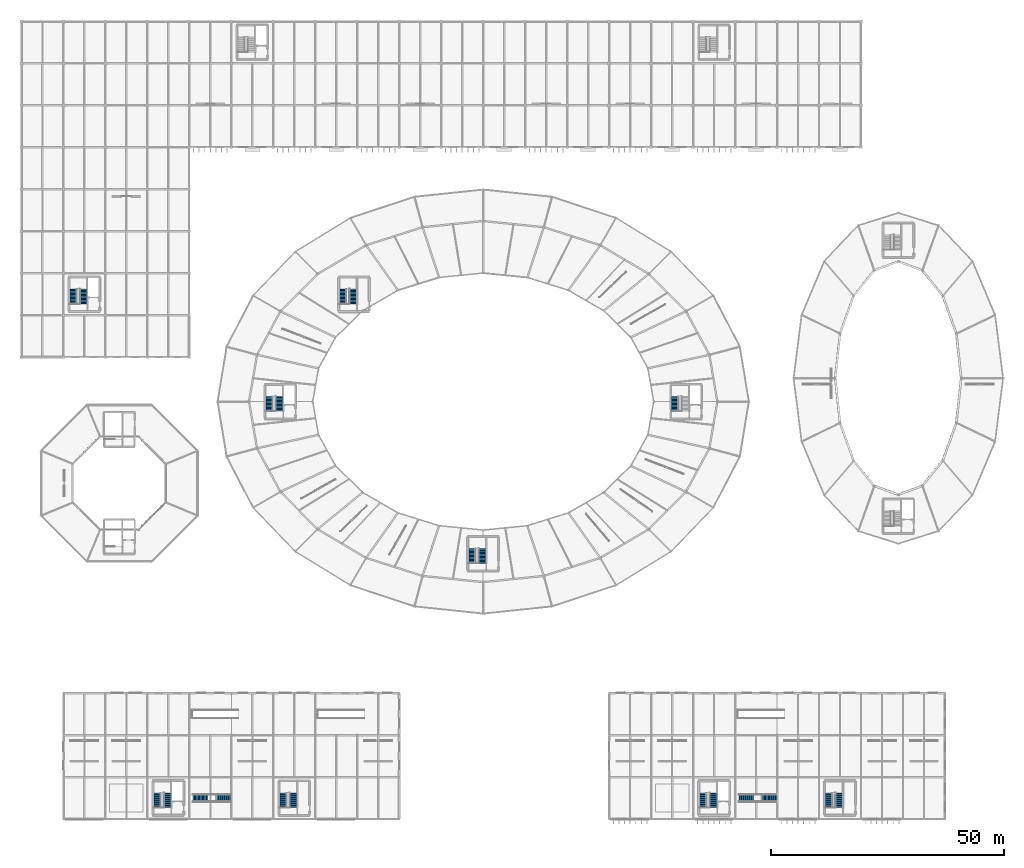
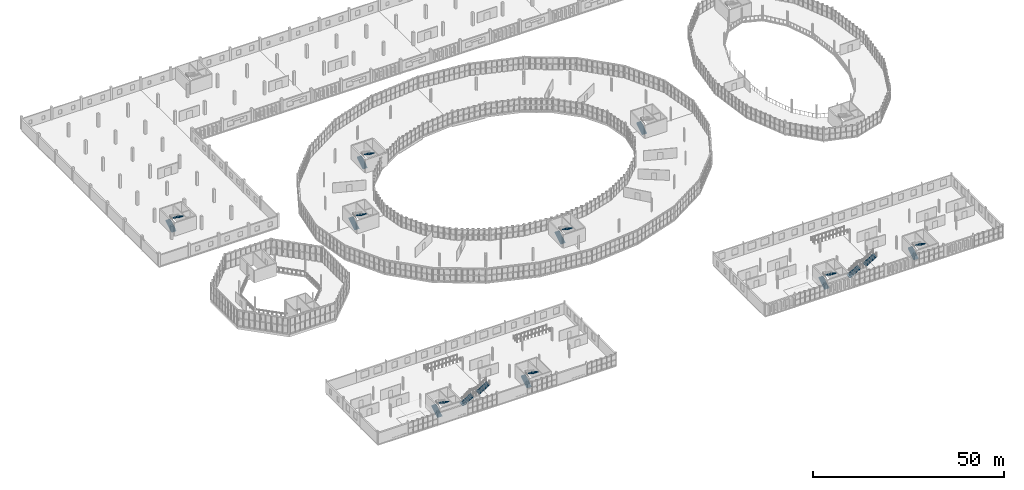
# One storey, part 149 of 161: 21 stair flights, 11 elements without a shape of their own.
"""IFC4 building model written with IfcOpenShell, lengths in metres."""

from ifc_helpers import new_model, si_unit, direction, frame, origin, place, context, subcontext, project, spatial, polyline, outline, extrude, material, type_object, element, aggregate, save


model = new_model("IFC4")

# Units and contexts
model_context = context("Model", 3, precision=1e-05, world=origin(), true_north=direction((0.0, 1.0)))
body_context = subcontext(model_context, "Body", "Model", "MODEL_VIEW")
ifc_project = project(units=[si_unit("LENGTHUNIT", "METRE"), si_unit("AREAUNIT", "SQUARE_METRE"), si_unit("VOLUMEUNIT", "CUBIC_METRE"), si_unit("PLANEANGLEUNIT", "RADIAN"), si_unit("MASSUNIT", "GRAM", prefix="KILO")], contexts=[model_context])

# Site, building, storey
site_placement = place(None, origin())
site = spatial("IfcSite", under=ifc_project, at=site_placement, CompositionType="ELEMENT")
building_placement = place(site_placement, origin())
building = spatial("IfcBuilding", under=site, at=building_placement, Name="Kildeholm Park Wholesale Market", CompositionType="ELEMENT")
storey_placement = place(building_placement, frame((0.0, 0.0, 5.39990234375)))
storey = spatial("IfcBuildingStorey", under=building, at=storey_placement, Name="L01", CompositionType="ELEMENT", Elevation=5.39990234375)

# Stair, stair flights
ifc_material_1 = material(Name="Steel S355", Category="steel")
stair_type_1 = type_object("IfcStairType", Name="Buyers concourse feature straight stair ST-FT1", PredefinedType="STRAIGHT_RUN_STAIR", material=ifc_material_1)
stair_1_placement = place(storey_placement, origin())
stair_1 = element("IfcStair", 1, at=stair_1_placement, inside=storey, type_object=stair_type_1, Name="Buyers concourse feature stair ST-FT04 STR-0037", PredefinedType="STRAIGHT_RUN_STAIR")
stair_flight_type_1 = type_object("IfcStairFlightType", Name="Steel feature stair flight SF-02", PredefinedType="STRAIGHT", material=ifc_material_1)
stair_flight_1_placement = place(storey_placement, frame((36.800048828125, 4.5, 0.0), z_axis=(0.0, 0.0, 1.0), x_axis=(1.0, 0.0, 0.0)))
stair_flight_1 = element("IfcStairFlight", 2, at=stair_flight_1_placement, type_object=stair_flight_type_1, Name="ST-FT04 flight 1 FLT-0073", NumberOfRisers=12, NumberOfTreads=11, PredefinedType="STRAIGHT", RiserHeight=0.175, TreadLength=0.285, context=body_context, shape_type="SweptSolid", body=[
    extrude(outline(polyline([(0.0, 0.0), (0.0, 0.175048828125), (0.284912109375, 0.175048828125), (0.284912109375, 0.35009765625), (0.570068359375, 0.35009765625), (0.570068359375, 0.52490234375), (0.85498046875, 0.52490234375), (0.85498046875, 0.699951171875), (1.139892578125, 0.699951171875), (1.139892578125, 0.875), (1.425048828125, 0.875), (1.425048828125, 1.050048828125), (1.7099609375, 1.050048828125), (1.7099609375, 1.22509765625), (1.9951171875, 1.22509765625), (1.9951171875, 1.39990234375), (2.280029296875, 1.39990234375), (2.280029296875, 1.574951171875), (2.56494140625, 1.574951171875), (2.56494140625, 1.75), (2.85009765625, 1.75), (2.85009765625, 1.925048828125), (3.135009765625, 1.925048828125), (3.135009765625, 2.10009765625), (3.18505859375, 2.10009765625), (3.18505859375, 1.93017578125), (3.135009765625, 1.7255859375), (0.32470703125, 0.0), (0.0, 0.0)])), frame((0.0, 0.824951171875, 0.0), z_axis=(0.0, -1.0, 0.0), x_axis=(1.0, 0.0, 0.0)), (0.0, 0.0, 1.0), 1.64990234375),
])
stair_flight_2_placement = place(storey_placement, frame((41.68505859375, 4.5, 2.10009765625), z_axis=(0.0, 0.0, 1.0), x_axis=(1.0, 0.0, 0.0)))
stair_flight_2 = element("IfcStairFlight", 3, at=stair_flight_2_placement, type_object=stair_flight_type_1, Name="ST-FT04 flight 2 FLT-0074", NumberOfRisers=12, NumberOfTreads=11, PredefinedType="STRAIGHT", RiserHeight=0.175, TreadLength=0.285, context=body_context, shape_type="SweptSolid", body=[
    extrude(outline(polyline([(0.0, 0.0), (0.0, 0.175048828125), (0.284912109375, 0.175048828125), (0.284912109375, 0.35009765625), (0.570068359375, 0.35009765625), (0.570068359375, 0.52490234375), (0.85498046875, 0.52490234375), (0.85498046875, 0.699951171875), (1.139892578125, 0.699951171875), (1.139892578125, 0.875), (1.425048828125, 0.875), (1.425048828125, 1.050048828125), (1.7099609375, 1.050048828125), (1.7099609375, 1.22509765625), (1.9951171875, 1.22509765625), (1.9951171875, 1.39990234375), (2.280029296875, 1.39990234375), (2.280029296875, 1.574951171875), (2.56494140625, 1.574951171875), (2.56494140625, 1.75), (2.85009765625, 1.75), (2.85009765625, 1.925048828125), (3.135009765625, 1.925048828125), (3.135009765625, 2.10009765625), (3.18505859375, 2.10009765625), (3.18505859375, 1.93017578125), (3.135009765625, 1.7255859375), (0.32470703125, 0.0), (0.0, 0.0)])), frame((0.0, 0.824951171875, 0.0), z_axis=(0.0, -1.0, 0.0), x_axis=(1.0, 0.0, 0.0)), (0.0, 0.0, 1.0), 1.64990234375),
])
aggregate(stair_1, [stair_flight_1, stair_flight_2])

stair_2_placement = place(storey_placement, origin())
stair_2 = element("IfcStair", 4, at=stair_2_placement, inside=storey, type_object=stair_type_1, Name="Buyers concourse feature stair ST-FT05 STR-0038", PredefinedType="STRAIGHT_RUN_STAIR")
stair_flight_3_placement = place(storey_placement, frame((153.800048828125, 4.5, 0.0), z_axis=(0.0, 0.0, 1.0), x_axis=(1.0, 0.0, 0.0)))
stair_flight_3 = element("IfcStairFlight", 5, at=stair_flight_3_placement, type_object=stair_flight_type_1, Name="ST-FT05 flight 1 FLT-0075", NumberOfRisers=12, NumberOfTreads=11, PredefinedType="STRAIGHT", RiserHeight=0.175, TreadLength=0.285, context=body_context, shape_type="SweptSolid", body=[
    extrude(outline(polyline([(0.0, 0.0), (0.0, 0.175048828125), (0.284912109375, 0.175048828125), (0.284912109375, 0.35009765625), (0.570068359375, 0.35009765625), (0.570068359375, 0.52490234375), (0.85498046875, 0.52490234375), (0.85498046875, 0.699951171875), (1.139892578125, 0.699951171875), (1.139892578125, 0.875), (1.425048828125, 0.875), (1.425048828125, 1.050048828125), (1.7099609375, 1.050048828125), (1.7099609375, 1.22509765625), (1.9951171875, 1.22509765625), (1.9951171875, 1.39990234375), (2.280029296875, 1.39990234375), (2.280029296875, 1.574951171875), (2.56494140625, 1.574951171875), (2.56494140625, 1.75), (2.85009765625, 1.75), (2.85009765625, 1.925048828125), (3.135009765625, 1.925048828125), (3.135009765625, 2.10009765625), (3.18505859375, 2.10009765625), (3.18505859375, 1.93017578125), (3.135009765625, 1.7255859375), (0.32470703125, 0.0), (0.0, 0.0)])), frame((0.0, 0.824951171875, 0.0), z_axis=(0.0, -1.0, 0.0), x_axis=(1.0, 0.0, 0.0)), (0.0, 0.0, 1.0), 1.64990234375),
])
stair_flight_4_placement = place(storey_placement, frame((158.68505859375, 4.5, 2.10009765625), z_axis=(0.0, 0.0, 1.0), x_axis=(1.0, 0.0, 0.0)))
stair_flight_4 = element("IfcStairFlight", 6, at=stair_flight_4_placement, type_object=stair_flight_type_1, Name="ST-FT05 flight 2 FLT-0076", NumberOfRisers=12, NumberOfTreads=11, PredefinedType="STRAIGHT", RiserHeight=0.175, TreadLength=0.285, context=body_context, shape_type="SweptSolid", body=[
    extrude(outline(polyline([(0.0, 0.0), (0.0, 0.175048828125), (0.284912109375, 0.175048828125), (0.284912109375, 0.35009765625), (0.570068359375, 0.35009765625), (0.570068359375, 0.52490234375), (0.85498046875, 0.52490234375), (0.85498046875, 0.699951171875), (1.139892578125, 0.699951171875), (1.139892578125, 0.875), (1.425048828125, 0.875), (1.425048828125, 1.050048828125), (1.7099609375, 1.050048828125), (1.7099609375, 1.22509765625), (1.9951171875, 1.22509765625), (1.9951171875, 1.39990234375), (2.280029296875, 1.39990234375), (2.280029296875, 1.574951171875), (2.56494140625, 1.574951171875), (2.56494140625, 1.75), (2.85009765625, 1.75), (2.85009765625, 1.925048828125), (3.135009765625, 1.925048828125), (3.135009765625, 2.10009765625), (3.18505859375, 2.10009765625), (3.18505859375, 1.93017578125), (3.135009765625, 1.7255859375), (0.32470703125, 0.0), (0.0, 0.0)])), frame((0.0, 0.824951171875, 0.0), z_axis=(0.0, -1.0, 0.0), x_axis=(1.0, 0.0, 0.0)), (0.0, 0.0, 1.0), 1.64990234375),
])
aggregate(stair_2, [stair_flight_3, stair_flight_4])

ifc_material_2 = material(Name="Concrete C35/45", Category="concrete")
stair_type_2 = type_object("IfcStairType", Name="Protected upper core escape stair ST-CR2", PredefinedType="HALF_TURN_STAIR", material=ifc_material_2)
stair_3_placement = place(storey_placement, origin())
stair_3 = element("IfcStair", 7, at=stair_3_placement, inside=storey, type_object=stair_type_2, Name="Escape stair C01 L01 STR-0002", PredefinedType="HALF_TURN_STAIR")
stair_flight_type_2 = type_object("IfcStairFlightType", Name="Upper reinforced-concrete stair flight SF-03", PredefinedType="STRAIGHT", material=ifc_material_2)
stair_flight_5_placement = place(storey_placement, frame((11.139892578125, 110.419921875, 0.0), z_axis=(0.0, 0.0, 1.0), x_axis=(0.0, 1.0, 0.0)))
stair_flight_5 = element("IfcStairFlight", 8, at=stair_flight_5_placement, type_object=stair_flight_type_2, Name="ST-01-01 flight 1 FLT-0003", NumberOfRisers=12, NumberOfTreads=11, PredefinedType="STRAIGHT", RiserHeight=0.175, TreadLength=0.285, context=body_context, shape_type="SweptSolid", body=[
    extrude(outline(polyline([(0.0, 0.0), (0.0, 0.175048828125), (0.284912109375, 0.175048828125), (0.284912109375, 0.35009765625), (0.570068359375, 0.35009765625), (0.570068359375, 0.52490234375), (0.85498046875, 0.52490234375), (0.85498046875, 0.699951171875), (1.139892578125, 0.699951171875), (1.139892578125, 0.875), (1.425048828125, 0.875), (1.425048828125, 1.050048828125), (1.7099609375, 1.050048828125), (1.7099609375, 1.22509765625), (1.9951171875, 1.22509765625), (1.9951171875, 1.39990234375), (2.280029296875, 1.39990234375), (2.280029296875, 1.574951171875), (2.56494140625, 1.574951171875), (2.56494140625, 1.75), (2.85009765625, 1.75), (2.85009765625, 1.925048828125), (3.135009765625, 1.925048828125), (3.135009765625, 2.10009765625), (3.18505859375, 2.10009765625), (3.18505859375, 1.9501953125), (3.135009765625, 1.7490234375), (0.286376953125, 0.0), (0.0, 0.0)])), frame((0.0, 0.719970703125, 0.0), z_axis=(0.0, -1.0, 0.0), x_axis=(1.0, 0.0, 0.0)), (0.0, 0.0, 1.0), 1.43994140625),
])
stair_flight_6_placement = place(storey_placement, frame((13.27001953125, 113.614990234375, 2.10009765625), z_axis=(0.0, 0.0, 1.0), x_axis=(0.0, -1.0, 0.0)))
stair_flight_6 = element("IfcStairFlight", 9, at=stair_flight_6_placement, type_object=stair_flight_type_2, Name="ST-01-01 flight 2 FLT-0004", NumberOfRisers=12, NumberOfTreads=11, PredefinedType="STRAIGHT", RiserHeight=0.175, TreadLength=0.285, context=body_context, shape_type="SweptSolid", body=[
    extrude(outline(polyline([(0.0, 0.0), (0.0, 0.175048828125), (0.284912109375, 0.175048828125), (0.284912109375, 0.35009765625), (0.570068359375, 0.35009765625), (0.570068359375, 0.52490234375), (0.85498046875, 0.52490234375), (0.85498046875, 0.699951171875), (1.139892578125, 0.699951171875), (1.139892578125, 0.875), (1.425048828125, 0.875), (1.425048828125, 1.050048828125), (1.7099609375, 1.050048828125), (1.7099609375, 1.22509765625), (1.9951171875, 1.22509765625), (1.9951171875, 1.39990234375), (2.280029296875, 1.39990234375), (2.280029296875, 1.574951171875), (2.56494140625, 1.574951171875), (2.56494140625, 1.75), (2.85009765625, 1.75), (2.85009765625, 1.925048828125), (3.135009765625, 1.925048828125), (3.135009765625, 2.10009765625), (3.18505859375, 2.10009765625), (3.18505859375, 1.9501953125), (3.135009765625, 1.7490234375), (0.286376953125, 0.0), (0.0, 0.0)])), frame((0.0, 0.719970703125, 0.0), z_axis=(0.0, -1.0, 0.0), x_axis=(1.0, 0.0, 0.0)), (0.0, 0.0, 1.0), 1.43994140625),
])
aggregate(stair_3, [stair_flight_5, stair_flight_6])

stair_4_placement = place(storey_placement, origin())
stair_4 = element("IfcStair", 10, at=stair_4_placement, inside=storey, type_object=stair_type_2, Name="Escape stair C04 L01 STR-0009", PredefinedType="HALF_TURN_STAIR")
stair_flight_7_placement = place(storey_placement, frame((29.139892578125, 2.419921875, 0.0), z_axis=(0.0, 0.0, 1.0), x_axis=(0.0, 1.0, 0.0)))
stair_flight_7 = element("IfcStairFlight", 11, at=stair_flight_7_placement, type_object=stair_flight_type_2, Name="ST-04-01 flight 1 FLT-0017", NumberOfRisers=12, NumberOfTreads=11, PredefinedType="STRAIGHT", RiserHeight=0.175, TreadLength=0.285, context=body_context, shape_type="SweptSolid", body=[
    extrude(outline(polyline([(0.0, 0.0), (0.0, 0.175048828125), (0.284912109375, 0.175048828125), (0.284912109375, 0.35009765625), (0.570068359375, 0.35009765625), (0.570068359375, 0.52490234375), (0.85498046875, 0.52490234375), (0.85498046875, 0.699951171875), (1.139892578125, 0.699951171875), (1.139892578125, 0.875), (1.425048828125, 0.875), (1.425048828125, 1.050048828125), (1.7099609375, 1.050048828125), (1.7099609375, 1.22509765625), (1.9951171875, 1.22509765625), (1.9951171875, 1.39990234375), (2.280029296875, 1.39990234375), (2.280029296875, 1.574951171875), (2.56494140625, 1.574951171875), (2.56494140625, 1.75), (2.85009765625, 1.75), (2.85009765625, 1.925048828125), (3.135009765625, 1.925048828125), (3.135009765625, 2.10009765625), (3.18505859375, 2.10009765625), (3.18505859375, 1.9501953125), (3.135009765625, 1.7490234375), (0.286376953125, 0.0), (0.0, 0.0)])), frame((0.0, 0.719970703125, 0.0), z_axis=(0.0, -1.0, 0.0), x_axis=(1.0, 0.0, 0.0)), (0.0, 0.0, 1.0), 1.43994140625),
])
stair_flight_8_placement = place(storey_placement, frame((31.27001953125, 5.614990234375, 2.10009765625), z_axis=(0.0, 0.0, 1.0), x_axis=(0.0, -1.0, 0.0)))
stair_flight_8 = element("IfcStairFlight", 12, at=stair_flight_8_placement, type_object=stair_flight_type_2, Name="ST-04-01 flight 2 FLT-0018", NumberOfRisers=12, NumberOfTreads=11, PredefinedType="STRAIGHT", RiserHeight=0.175, TreadLength=0.285, context=body_context, shape_type="SweptSolid", body=[
    extrude(outline(polyline([(0.0, 0.0), (0.0, 0.175048828125), (0.284912109375, 0.175048828125), (0.284912109375, 0.35009765625), (0.570068359375, 0.35009765625), (0.570068359375, 0.52490234375), (0.85498046875, 0.52490234375), (0.85498046875, 0.699951171875), (1.139892578125, 0.699951171875), (1.139892578125, 0.875), (1.425048828125, 0.875), (1.425048828125, 1.050048828125), (1.7099609375, 1.050048828125), (1.7099609375, 1.22509765625), (1.9951171875, 1.22509765625), (1.9951171875, 1.39990234375), (2.280029296875, 1.39990234375), (2.280029296875, 1.574951171875), (2.56494140625, 1.574951171875), (2.56494140625, 1.75), (2.85009765625, 1.75), (2.85009765625, 1.925048828125), (3.135009765625, 1.925048828125), (3.135009765625, 2.10009765625), (3.18505859375, 2.10009765625), (3.18505859375, 1.9501953125), (3.135009765625, 1.7490234375), (0.286376953125, 0.0), (0.0, 0.0)])), frame((0.0, 0.719970703125, 0.0), z_axis=(0.0, -1.0, 0.0), x_axis=(1.0, 0.0, 0.0)), (0.0, 0.0, 1.0), 1.43994140625),
])
aggregate(stair_4, [stair_flight_7, stair_flight_8])

stair_5_placement = place(storey_placement, origin())
stair_5 = element("IfcStair", 13, at=stair_5_placement, inside=storey, type_object=stair_type_2, Name="Escape stair C05 L01 STR-0012", PredefinedType="HALF_TURN_STAIR")
stair_flight_9_placement = place(storey_placement, frame((56.139892578125, 2.419921875, 0.0), z_axis=(0.0, 0.0, 1.0), x_axis=(0.0, 1.0, 0.0)))
stair_flight_9 = element("IfcStairFlight", 14, at=stair_flight_9_placement, type_object=stair_flight_type_2, Name="ST-05-01 flight 1 FLT-0023", NumberOfRisers=12, NumberOfTreads=11, PredefinedType="STRAIGHT", RiserHeight=0.175, TreadLength=0.285, context=body_context, shape_type="SweptSolid", body=[
    extrude(outline(polyline([(0.0, 0.0), (0.0, 0.175048828125), (0.284912109375, 0.175048828125), (0.284912109375, 0.35009765625), (0.570068359375, 0.35009765625), (0.570068359375, 0.52490234375), (0.85498046875, 0.52490234375), (0.85498046875, 0.699951171875), (1.139892578125, 0.699951171875), (1.139892578125, 0.875), (1.425048828125, 0.875), (1.425048828125, 1.050048828125), (1.7099609375, 1.050048828125), (1.7099609375, 1.22509765625), (1.9951171875, 1.22509765625), (1.9951171875, 1.39990234375), (2.280029296875, 1.39990234375), (2.280029296875, 1.574951171875), (2.56494140625, 1.574951171875), (2.56494140625, 1.75), (2.85009765625, 1.75), (2.85009765625, 1.925048828125), (3.135009765625, 1.925048828125), (3.135009765625, 2.10009765625), (3.18505859375, 2.10009765625), (3.18505859375, 1.9501953125), (3.135009765625, 1.7490234375), (0.286376953125, 0.0), (0.0, 0.0)])), frame((0.0, 0.719970703125, 0.0), z_axis=(0.0, -1.0, 0.0), x_axis=(1.0, 0.0, 0.0)), (0.0, 0.0, 1.0), 1.43994140625),
])
stair_flight_10_placement = place(storey_placement, frame((58.27001953125, 5.614990234375, 2.10009765625), z_axis=(0.0, 0.0, 1.0), x_axis=(0.0, -1.0, 0.0)))
stair_flight_10 = element("IfcStairFlight", 15, at=stair_flight_10_placement, type_object=stair_flight_type_2, Name="ST-05-01 flight 2 FLT-0024", NumberOfRisers=12, NumberOfTreads=11, PredefinedType="STRAIGHT", RiserHeight=0.175, TreadLength=0.285, context=body_context, shape_type="SweptSolid", body=[
    extrude(outline(polyline([(0.0, 0.0), (0.0, 0.175048828125), (0.284912109375, 0.175048828125), (0.284912109375, 0.35009765625), (0.570068359375, 0.35009765625), (0.570068359375, 0.52490234375), (0.85498046875, 0.52490234375), (0.85498046875, 0.699951171875), (1.139892578125, 0.699951171875), (1.139892578125, 0.875), (1.425048828125, 0.875), (1.425048828125, 1.050048828125), (1.7099609375, 1.050048828125), (1.7099609375, 1.22509765625), (1.9951171875, 1.22509765625), (1.9951171875, 1.39990234375), (2.280029296875, 1.39990234375), (2.280029296875, 1.574951171875), (2.56494140625, 1.574951171875), (2.56494140625, 1.75), (2.85009765625, 1.75), (2.85009765625, 1.925048828125), (3.135009765625, 1.925048828125), (3.135009765625, 2.10009765625), (3.18505859375, 2.10009765625), (3.18505859375, 1.9501953125), (3.135009765625, 1.7490234375), (0.286376953125, 0.0), (0.0, 0.0)])), frame((0.0, 0.719970703125, 0.0), z_axis=(0.0, -1.0, 0.0), x_axis=(1.0, 0.0, 0.0)), (0.0, 0.0, 1.0), 1.43994140625),
])
aggregate(stair_5, [stair_flight_9, stair_flight_10])

stair_6_placement = place(storey_placement, origin())
stair_6 = element("IfcStair", 16, at=stair_6_placement, inside=storey, type_object=stair_type_2, Name="Escape stair C06 L01 STR-0015", PredefinedType="HALF_TURN_STAIR")
stair_flight_11_placement = place(storey_placement, frame((146.139892578125, 2.419921875, 0.0), z_axis=(0.0, 0.0, 1.0), x_axis=(0.0, 1.0, 0.0)))
stair_flight_11 = element("IfcStairFlight", 17, at=stair_flight_11_placement, type_object=stair_flight_type_2, Name="ST-06-01 flight 1 FLT-0029", NumberOfRisers=12, NumberOfTreads=11, PredefinedType="STRAIGHT", RiserHeight=0.175, TreadLength=0.285, context=body_context, shape_type="SweptSolid", body=[
    extrude(outline(polyline([(0.0, 0.0), (0.0, 0.175048828125), (0.284912109375, 0.175048828125), (0.284912109375, 0.35009765625), (0.570068359375, 0.35009765625), (0.570068359375, 0.52490234375), (0.85498046875, 0.52490234375), (0.85498046875, 0.699951171875), (1.139892578125, 0.699951171875), (1.139892578125, 0.875), (1.425048828125, 0.875), (1.425048828125, 1.050048828125), (1.7099609375, 1.050048828125), (1.7099609375, 1.22509765625), (1.9951171875, 1.22509765625), (1.9951171875, 1.39990234375), (2.280029296875, 1.39990234375), (2.280029296875, 1.574951171875), (2.56494140625, 1.574951171875), (2.56494140625, 1.75), (2.85009765625, 1.75), (2.85009765625, 1.925048828125), (3.135009765625, 1.925048828125), (3.135009765625, 2.10009765625), (3.18505859375, 2.10009765625), (3.18505859375, 1.9501953125), (3.135009765625, 1.7490234375), (0.286376953125, 0.0), (0.0, 0.0)])), frame((0.0, 0.719970703125, 0.0), z_axis=(0.0, -1.0, 0.0), x_axis=(1.0, 0.0, 0.0)), (0.0, 0.0, 1.0), 1.43994140625),
])
stair_flight_12_placement = place(storey_placement, frame((148.27001953125, 5.614990234375, 2.10009765625), z_axis=(0.0, 0.0, 1.0), x_axis=(0.0, -1.0, 0.0)))
stair_flight_12 = element("IfcStairFlight", 18, at=stair_flight_12_placement, type_object=stair_flight_type_2, Name="ST-06-01 flight 2 FLT-0030", NumberOfRisers=12, NumberOfTreads=11, PredefinedType="STRAIGHT", RiserHeight=0.175, TreadLength=0.285, context=body_context, shape_type="SweptSolid", body=[
    extrude(outline(polyline([(0.0, 0.0), (0.0, 0.175048828125), (0.284912109375, 0.175048828125), (0.284912109375, 0.35009765625), (0.570068359375, 0.35009765625), (0.570068359375, 0.52490234375), (0.85498046875, 0.52490234375), (0.85498046875, 0.699951171875), (1.139892578125, 0.699951171875), (1.139892578125, 0.875), (1.425048828125, 0.875), (1.425048828125, 1.050048828125), (1.7099609375, 1.050048828125), (1.7099609375, 1.22509765625), (1.9951171875, 1.22509765625), (1.9951171875, 1.39990234375), (2.280029296875, 1.39990234375), (2.280029296875, 1.574951171875), (2.56494140625, 1.574951171875), (2.56494140625, 1.75), (2.85009765625, 1.75), (2.85009765625, 1.925048828125), (3.135009765625, 1.925048828125), (3.135009765625, 2.10009765625), (3.18505859375, 2.10009765625), (3.18505859375, 1.9501953125), (3.135009765625, 1.7490234375), (0.286376953125, 0.0), (0.0, 0.0)])), frame((0.0, 0.719970703125, 0.0), z_axis=(0.0, -1.0, 0.0), x_axis=(1.0, 0.0, 0.0)), (0.0, 0.0, 1.0), 1.43994140625),
])
aggregate(stair_6, [stair_flight_11, stair_flight_12])

stair_7_placement = place(storey_placement, origin())
stair_7 = element("IfcStair", 19, at=stair_7_placement, inside=storey, type_object=stair_type_2, Name="Escape stair C07 L01 STR-0018", PredefinedType="HALF_TURN_STAIR")
stair_flight_13_placement = place(storey_placement, frame((173.139892578125, 2.419921875, 0.0), z_axis=(0.0, 0.0, 1.0), x_axis=(0.0, 1.0, 0.0)))
stair_flight_13 = element("IfcStairFlight", 20, at=stair_flight_13_placement, type_object=stair_flight_type_2, Name="ST-07-01 flight 1 FLT-0035", NumberOfRisers=12, NumberOfTreads=11, PredefinedType="STRAIGHT", RiserHeight=0.175, TreadLength=0.285, context=body_context, shape_type="SweptSolid", body=[
    extrude(outline(polyline([(0.0, 0.0), (0.0, 0.175048828125), (0.284912109375, 0.175048828125), (0.284912109375, 0.35009765625), (0.570068359375, 0.35009765625), (0.570068359375, 0.52490234375), (0.85498046875, 0.52490234375), (0.85498046875, 0.699951171875), (1.139892578125, 0.699951171875), (1.139892578125, 0.875), (1.425048828125, 0.875), (1.425048828125, 1.050048828125), (1.7099609375, 1.050048828125), (1.7099609375, 1.22509765625), (1.9951171875, 1.22509765625), (1.9951171875, 1.39990234375), (2.280029296875, 1.39990234375), (2.280029296875, 1.574951171875), (2.56494140625, 1.574951171875), (2.56494140625, 1.75), (2.85009765625, 1.75), (2.85009765625, 1.925048828125), (3.135009765625, 1.925048828125), (3.135009765625, 2.10009765625), (3.18505859375, 2.10009765625), (3.18505859375, 1.9501953125), (3.135009765625, 1.7490234375), (0.286376953125, 0.0), (0.0, 0.0)])), frame((0.0, 0.719970703125, 0.0), z_axis=(0.0, -1.0, 0.0), x_axis=(1.0, 0.0, 0.0)), (0.0, 0.0, 1.0), 1.43994140625),
])
stair_flight_14_placement = place(storey_placement, frame((175.27001953125, 5.614990234375, 2.10009765625), z_axis=(0.0, 0.0, 1.0), x_axis=(0.0, -1.0, 0.0)))
stair_flight_14 = element("IfcStairFlight", 21, at=stair_flight_14_placement, type_object=stair_flight_type_2, Name="ST-07-01 flight 2 FLT-0036", NumberOfRisers=12, NumberOfTreads=11, PredefinedType="STRAIGHT", RiserHeight=0.175, TreadLength=0.285, context=body_context, shape_type="SweptSolid", body=[
    extrude(outline(polyline([(0.0, 0.0), (0.0, 0.175048828125), (0.284912109375, 0.175048828125), (0.284912109375, 0.35009765625), (0.570068359375, 0.35009765625), (0.570068359375, 0.52490234375), (0.85498046875, 0.52490234375), (0.85498046875, 0.699951171875), (1.139892578125, 0.699951171875), (1.139892578125, 0.875), (1.425048828125, 0.875), (1.425048828125, 1.050048828125), (1.7099609375, 1.050048828125), (1.7099609375, 1.22509765625), (1.9951171875, 1.22509765625), (1.9951171875, 1.39990234375), (2.280029296875, 1.39990234375), (2.280029296875, 1.574951171875), (2.56494140625, 1.574951171875), (2.56494140625, 1.75), (2.85009765625, 1.75), (2.85009765625, 1.925048828125), (3.135009765625, 1.925048828125), (3.135009765625, 2.10009765625), (3.18505859375, 2.10009765625), (3.18505859375, 1.9501953125), (3.135009765625, 1.7490234375), (0.286376953125, 0.0), (0.0, 0.0)])), frame((0.0, 0.719970703125, 0.0), z_axis=(0.0, -1.0, 0.0), x_axis=(1.0, 0.0, 0.0)), (0.0, 0.0, 1.0), 1.43994140625),
])
aggregate(stair_7, [stair_flight_13, stair_flight_14])

# Stair, stair flight
stair_8_placement = place(storey_placement, origin())
stair_8 = element("IfcStair", 22, at=stair_8_placement, inside=storey, type_object=stair_type_2, Name="Escape stair C08 L01 STR-0021", PredefinedType="HALF_TURN_STAIR")
stair_flight_15_placement = place(storey_placement, frame((140.139892578125, 87.419921875, 0.0), z_axis=(0.0, 0.0, 1.0), x_axis=(0.0, 1.0, 0.0)))
stair_flight_15 = element("IfcStairFlight", 23, at=stair_flight_15_placement, type_object=stair_flight_type_2, Name="ST-08-01 flight 1 FLT-0041", NumberOfRisers=12, NumberOfTreads=11, PredefinedType="STRAIGHT", RiserHeight=0.175, TreadLength=0.285, context=body_context, shape_type="SweptSolid", body=[
    extrude(outline(polyline([(0.0, 0.0), (0.0, 0.175048828125), (0.284912109375, 0.175048828125), (0.284912109375, 0.35009765625), (0.570068359375, 0.35009765625), (0.570068359375, 0.52490234375), (0.85498046875, 0.52490234375), (0.85498046875, 0.699951171875), (1.139892578125, 0.699951171875), (1.139892578125, 0.875), (1.425048828125, 0.875), (1.425048828125, 1.050048828125), (1.7099609375, 1.050048828125), (1.7099609375, 1.22509765625), (1.9951171875, 1.22509765625), (1.9951171875, 1.39990234375), (2.280029296875, 1.39990234375), (2.280029296875, 1.574951171875), (2.56494140625, 1.574951171875), (2.56494140625, 1.75), (2.85009765625, 1.75), (2.85009765625, 1.925048828125), (3.135009765625, 1.925048828125), (3.135009765625, 2.10009765625), (3.18505859375, 2.10009765625), (3.18505859375, 1.9501953125), (3.135009765625, 1.7490234375), (0.286376953125, 0.0), (0.0, 0.0)])), frame((0.0, 0.719970703125, 0.0), z_axis=(0.0, -1.0, 0.0), x_axis=(1.0, 0.0, 0.0)), (0.0, 0.0, 1.0), 1.43994140625),
])
aggregate(stair_8, [stair_flight_15])

# Stair, stair flights
stair_9_placement = place(storey_placement, origin())
stair_9 = element("IfcStair", 24, at=stair_9_placement, inside=storey, type_object=stair_type_2, Name="Escape stair C09 L01 STR-0023", PredefinedType="HALF_TURN_STAIR")
stair_flight_16_placement = place(storey_placement, frame((53.139892578125, 87.419921875, 0.0), z_axis=(0.0, 0.0, 1.0), x_axis=(0.0, 1.0, 0.0)))
stair_flight_16 = element("IfcStairFlight", 25, at=stair_flight_16_placement, type_object=stair_flight_type_2, Name="ST-09-01 flight 1 FLT-0045", NumberOfRisers=12, NumberOfTreads=11, PredefinedType="STRAIGHT", RiserHeight=0.175, TreadLength=0.285, context=body_context, shape_type="SweptSolid", body=[
    extrude(outline(polyline([(0.0, 0.0), (0.0, 0.175048828125), (0.284912109375, 0.175048828125), (0.284912109375, 0.35009765625), (0.570068359375, 0.35009765625), (0.570068359375, 0.52490234375), (0.85498046875, 0.52490234375), (0.85498046875, 0.699951171875), (1.139892578125, 0.699951171875), (1.139892578125, 0.875), (1.425048828125, 0.875), (1.425048828125, 1.050048828125), (1.7099609375, 1.050048828125), (1.7099609375, 1.22509765625), (1.9951171875, 1.22509765625), (1.9951171875, 1.39990234375), (2.280029296875, 1.39990234375), (2.280029296875, 1.574951171875), (2.56494140625, 1.574951171875), (2.56494140625, 1.75), (2.85009765625, 1.75), (2.85009765625, 1.925048828125), (3.135009765625, 1.925048828125), (3.135009765625, 2.10009765625), (3.18505859375, 2.10009765625), (3.18505859375, 1.9501953125), (3.135009765625, 1.7490234375), (0.286376953125, 0.0), (0.0, 0.0)])), frame((0.0, 0.719970703125, 0.0), z_axis=(0.0, -1.0, 0.0), x_axis=(1.0, 0.0, 0.0)), (0.0, 0.0, 1.0), 1.43994140625),
])
stair_flight_17_placement = place(storey_placement, frame((55.27001953125, 90.614990234375, 2.10009765625), z_axis=(0.0, 0.0, 1.0), x_axis=(0.0, -1.0, 0.0)))
stair_flight_17 = element("IfcStairFlight", 26, at=stair_flight_17_placement, type_object=stair_flight_type_2, Name="ST-09-01 flight 2 FLT-0046", NumberOfRisers=12, NumberOfTreads=11, PredefinedType="STRAIGHT", RiserHeight=0.175, TreadLength=0.285, context=body_context, shape_type="SweptSolid", body=[
    extrude(outline(polyline([(0.0, 0.0), (0.0, 0.175048828125), (0.284912109375, 0.175048828125), (0.284912109375, 0.35009765625), (0.570068359375, 0.35009765625), (0.570068359375, 0.52490234375), (0.85498046875, 0.52490234375), (0.85498046875, 0.699951171875), (1.139892578125, 0.699951171875), (1.139892578125, 0.875), (1.425048828125, 0.875), (1.425048828125, 1.050048828125), (1.7099609375, 1.050048828125), (1.7099609375, 1.22509765625), (1.9951171875, 1.22509765625), (1.9951171875, 1.39990234375), (2.280029296875, 1.39990234375), (2.280029296875, 1.574951171875), (2.56494140625, 1.574951171875), (2.56494140625, 1.75), (2.85009765625, 1.75), (2.85009765625, 1.925048828125), (3.135009765625, 1.925048828125), (3.135009765625, 2.10009765625), (3.18505859375, 2.10009765625), (3.18505859375, 1.9501953125), (3.135009765625, 1.7490234375), (0.286376953125, 0.0), (0.0, 0.0)])), frame((0.0, 0.719970703125, 0.0), z_axis=(0.0, -1.0, 0.0), x_axis=(1.0, 0.0, 0.0)), (0.0, 0.0, 1.0), 1.43994140625),
])
aggregate(stair_9, [stair_flight_16, stair_flight_17])

stair_10_placement = place(storey_placement, origin())
stair_10 = element("IfcStair", 27, at=stair_10_placement, inside=storey, type_object=stair_type_2, Name="Escape stair C10 L01 STR-0025", PredefinedType="HALF_TURN_STAIR")
stair_flight_18_placement = place(storey_placement, frame((96.639892578125, 54.820068359375, 0.0), z_axis=(0.0, 0.0, 1.0), x_axis=(0.0, 1.0, 0.0)))
stair_flight_18 = element("IfcStairFlight", 28, at=stair_flight_18_placement, type_object=stair_flight_type_2, Name="ST-10-01 flight 1 FLT-0049", NumberOfRisers=12, NumberOfTreads=11, PredefinedType="STRAIGHT", RiserHeight=0.175, TreadLength=0.285, context=body_context, shape_type="SweptSolid", body=[
    extrude(outline(polyline([(0.0, 0.0), (0.0, 0.175048828125), (0.284912109375, 0.175048828125), (0.284912109375, 0.35009765625), (0.570068359375, 0.35009765625), (0.570068359375, 0.52490234375), (0.85498046875, 0.52490234375), (0.85498046875, 0.699951171875), (1.139892578125, 0.699951171875), (1.139892578125, 0.875), (1.425048828125, 0.875), (1.425048828125, 1.050048828125), (1.7099609375, 1.050048828125), (1.7099609375, 1.22509765625), (1.9951171875, 1.22509765625), (1.9951171875, 1.39990234375), (2.280029296875, 1.39990234375), (2.280029296875, 1.574951171875), (2.56494140625, 1.574951171875), (2.56494140625, 1.75), (2.85009765625, 1.75), (2.85009765625, 1.925048828125), (3.135009765625, 1.925048828125), (3.135009765625, 2.10009765625), (3.18505859375, 2.10009765625), (3.18505859375, 1.9501953125), (3.135009765625, 1.7490234375), (0.286376953125, 0.0), (0.0, 0.0)])), frame((0.0, 0.719970703125, 0.0), z_axis=(0.0, -1.0, 0.0), x_axis=(1.0, 0.0, 0.0)), (0.0, 0.0, 1.0), 1.43994140625),
])
stair_flight_19_placement = place(storey_placement, frame((98.77001953125, 58.014892578125, 2.10009765625), z_axis=(0.0, 0.0, 1.0), x_axis=(0.0, -1.0, 0.0)))
stair_flight_19 = element("IfcStairFlight", 29, at=stair_flight_19_placement, type_object=stair_flight_type_2, Name="ST-10-01 flight 2 FLT-0050", NumberOfRisers=12, NumberOfTreads=11, PredefinedType="STRAIGHT", RiserHeight=0.175, TreadLength=0.285, context=body_context, shape_type="SweptSolid", body=[
    extrude(outline(polyline([(0.0, 0.0), (0.0, 0.175048828125), (0.284912109375, 0.175048828125), (0.284912109375, 0.35009765625), (0.570068359375, 0.35009765625), (0.570068359375, 0.52490234375), (0.85498046875, 0.52490234375), (0.85498046875, 0.699951171875), (1.139892578125, 0.699951171875), (1.139892578125, 0.875), (1.425048828125, 0.875), (1.425048828125, 1.050048828125), (1.7099609375, 1.050048828125), (1.7099609375, 1.22509765625), (1.9951171875, 1.22509765625), (1.9951171875, 1.39990234375), (2.280029296875, 1.39990234375), (2.280029296875, 1.574951171875), (2.56494140625, 1.574951171875), (2.56494140625, 1.75), (2.85009765625, 1.75), (2.85009765625, 1.925048828125), (3.135009765625, 1.925048828125), (3.135009765625, 2.10009765625), (3.18505859375, 2.10009765625), (3.18505859375, 1.9501953125), (3.135009765625, 1.7490234375), (0.286376953125, 0.0), (0.0, 0.0)])), frame((0.0, 0.719970703125, 0.0), z_axis=(0.0, -1.0, 0.0), x_axis=(1.0, 0.0, 0.0)), (0.0, 0.0, 1.0), 1.43994140625),
])
aggregate(stair_10, [stair_flight_18, stair_flight_19])

stair_11_placement = place(storey_placement, origin())
stair_11 = element("IfcStair", 30, at=stair_11_placement, inside=storey, type_object=stair_type_2, Name="Escape stair C11 L01 STR-0027", PredefinedType="HALF_TURN_STAIR")
stair_flight_20_placement = place(storey_placement, frame((68.93994140625, 110.419921875, 0.0), z_axis=(0.0, 0.0, 1.0), x_axis=(0.0, 1.0, 0.0)))
stair_flight_20 = element("IfcStairFlight", 31, at=stair_flight_20_placement, type_object=stair_flight_type_2, Name="ST-11-01 flight 1 FLT-0053", NumberOfRisers=12, NumberOfTreads=11, PredefinedType="STRAIGHT", RiserHeight=0.175, TreadLength=0.285, context=body_context, shape_type="SweptSolid", body=[
    extrude(outline(polyline([(0.0, 0.0), (0.0, 0.175048828125), (0.284912109375, 0.175048828125), (0.284912109375, 0.35009765625), (0.570068359375, 0.35009765625), (0.570068359375, 0.52490234375), (0.85498046875, 0.52490234375), (0.85498046875, 0.699951171875), (1.139892578125, 0.699951171875), (1.139892578125, 0.875), (1.425048828125, 0.875), (1.425048828125, 1.050048828125), (1.7099609375, 1.050048828125), (1.7099609375, 1.22509765625), (1.9951171875, 1.22509765625), (1.9951171875, 1.39990234375), (2.280029296875, 1.39990234375), (2.280029296875, 1.574951171875), (2.56494140625, 1.574951171875), (2.56494140625, 1.75), (2.85009765625, 1.75), (2.85009765625, 1.925048828125), (3.135009765625, 1.925048828125), (3.135009765625, 2.10009765625), (3.18505859375, 2.10009765625), (3.18505859375, 1.9501953125), (3.135009765625, 1.7490234375), (0.286376953125, 0.0), (0.0, 0.0)])), frame((0.0, 0.719970703125, 0.0), z_axis=(0.0, -1.0, 0.0), x_axis=(1.0, 0.0, 0.0)), (0.0, 0.0, 1.0), 1.43994140625),
])
stair_flight_21_placement = place(storey_placement, frame((71.070068359375, 113.614990234375, 2.10009765625), z_axis=(0.0, 0.0, 1.0), x_axis=(0.0, -1.0, 0.0)))
stair_flight_21 = element("IfcStairFlight", 32, at=stair_flight_21_placement, type_object=stair_flight_type_2, Name="ST-11-01 flight 2 FLT-0054", NumberOfRisers=12, NumberOfTreads=11, PredefinedType="STRAIGHT", RiserHeight=0.175, TreadLength=0.285, context=body_context, shape_type="SweptSolid", body=[
    extrude(outline(polyline([(0.0, 0.0), (0.0, 0.175048828125), (0.284912109375, 0.175048828125), (0.284912109375, 0.35009765625), (0.570068359375, 0.35009765625), (0.570068359375, 0.52490234375), (0.85498046875, 0.52490234375), (0.85498046875, 0.699951171875), (1.139892578125, 0.699951171875), (1.139892578125, 0.875), (1.425048828125, 0.875), (1.425048828125, 1.050048828125), (1.7099609375, 1.050048828125), (1.7099609375, 1.22509765625), (1.9951171875, 1.22509765625), (1.9951171875, 1.39990234375), (2.280029296875, 1.39990234375), (2.280029296875, 1.574951171875), (2.56494140625, 1.574951171875), (2.56494140625, 1.75), (2.85009765625, 1.75), (2.85009765625, 1.925048828125), (3.135009765625, 1.925048828125), (3.135009765625, 2.10009765625), (3.18505859375, 2.10009765625), (3.18505859375, 1.9501953125), (3.135009765625, 1.7490234375), (0.286376953125, 0.0), (0.0, 0.0)])), frame((0.0, 0.719970703125, 0.0), z_axis=(0.0, -1.0, 0.0), x_axis=(1.0, 0.0, 0.0)), (0.0, 0.0, 1.0), 1.43994140625),
])
aggregate(stair_11, [stair_flight_20, stair_flight_21])

save(model, "model.ifc")
